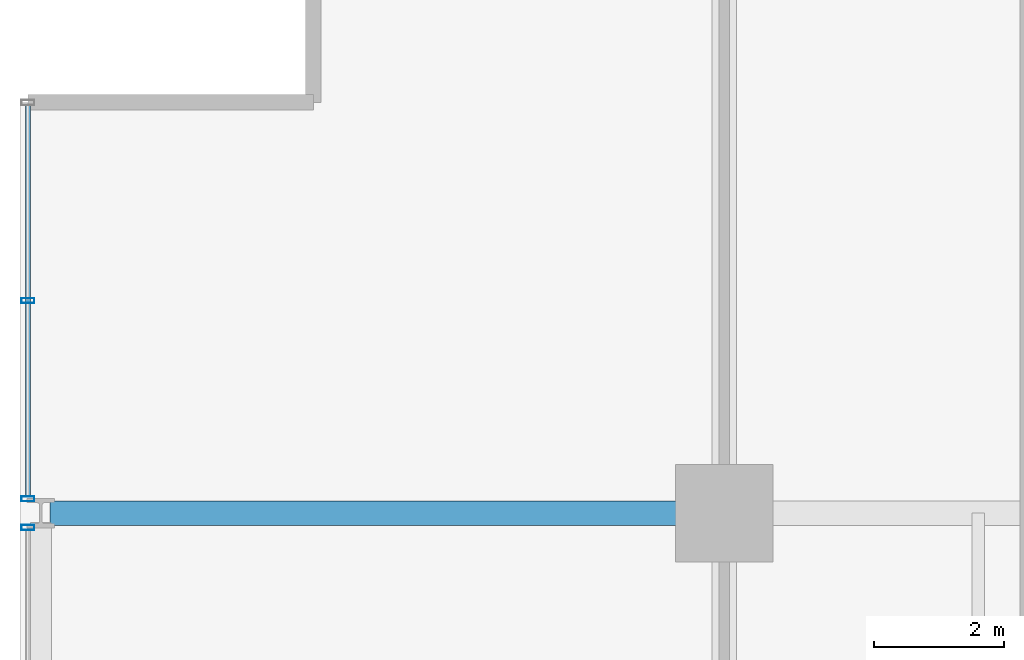
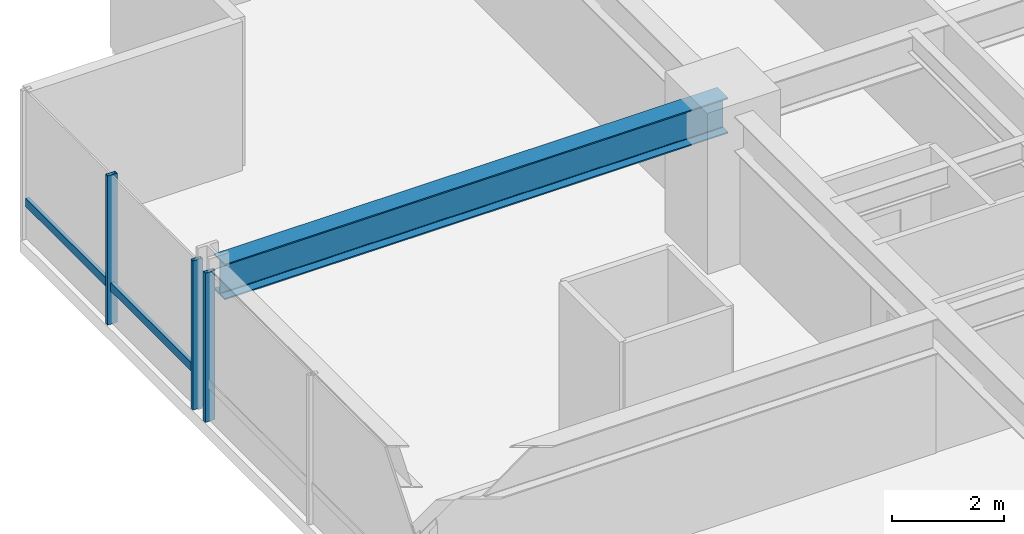
# One storey, part 18 of 35: 4 members, 1 beam, 2 elements without a shape of their own.
"""IFC4 building model written with IfcOpenShell, lengths in metres."""

from ifc_helpers import new_model, si_unit, direction, frame, origin, origin_2d, place, context, subcontext, project, spatial, hollow_rectangle, i_section, extrude, material, layer, layer_set, material_profile, profile_set, type_object, element, aggregate, save


model = new_model("IFC4")

# Units and contexts
model_context = context("Model", 3, precision=1e-05, world=origin(), true_north=direction((0.0, 1.0)))
body_context = subcontext(model_context, "Body", "Model", "MODEL_VIEW")
ifc_project = project(units=[si_unit("LENGTHUNIT", "METRE"), si_unit("AREAUNIT", "SQUARE_METRE"), si_unit("VOLUMEUNIT", "CUBIC_METRE"), si_unit("PLANEANGLEUNIT", "RADIAN"), si_unit("MASSUNIT", "GRAM", prefix="KILO")], contexts=[model_context])

# Site, building, storey
site_placement = place(None, origin())
site = spatial("IfcSite", under=ifc_project, at=site_placement, CompositionType="ELEMENT")
building_placement = place(site_placement, origin())
building = spatial("IfcBuilding", under=site, at=building_placement, Name="Drelvath Grand Hotel", CompositionType="ELEMENT")
storey_placement = place(building_placement, frame((0.0, 0.0, 95.300048828125)))
storey = spatial("IfcBuildingStorey", under=building, at=storey_placement, Name="L23", CompositionType="ELEMENT", Elevation=95.300048828125)

# Curtain wall, member
ifc_material_1 = material(Name="Champagne Bronze Anodised Aluminium Frame", Category="aluminium")
ifc_layer = layer(ifc_material_1, 0.199951171875)
ifc_layer_set = layer_set([ifc_layer], Name="Champagne Bronze Anodised Aluminium Frame")
curtain_wall_type = type_object("IfcCurtainWallType", Name="Stick Curtain Wall CW-03 Champagne Bronze Mid-Rise", PredefinedType="NOTDEFINED", material=ifc_layer_set)
curtain_wall_1_placement = place(storey_placement, origin())
curtain_wall_1 = element("IfcCurtainWall", 1, at=curtain_wall_1_placement, inside=storey, type_object=curtain_wall_type, Name="L23 CW-03 Curtain Wall CW03-L23-WN3", PredefinedType="NOTDEFINED")
ifc_material_profile_1 = material_profile(ifc_material_1, hollow_rectangle(XDim=0.074951171875, YDim=0.179931640625, WallThickness=0.0048828125, at=origin_2d()), Name="HSS180X75X5")
ifc_profile_set_1 = profile_set([ifc_material_profile_1], Name="Champagne Bronze Anodised Aluminium Frame")
member_type_1 = type_object("IfcMemberType", Name="Curtain Wall Horizontal Transom CW-03 HSS180X75X5", PredefinedType="USERDEFINED", material=ifc_profile_set_1)
member_1_placement = place(storey_placement, frame((-26.8798828125, 43.459716796875, 0.81005859375), z_axis=(0.0, 1.0, 0.0), x_axis=(-1.0, 0.0, 0.0)))
member_1 = element("IfcMember", 2, at=member_1_placement, type_object=member_type_1, Name="CW03-L23-WN3 Sill Transom", ObjectType="TRANSOM", PredefinedType="USERDEFINED", context=body_context, shape_type="SweptSolid", body=[
    extrude(hollow_rectangle(XDim=0.074951171875, YDim=0.179931640625, WallThickness=0.0048828125, at=origin_2d()), origin(), (0.0, 0.0, 1.0), 6.000244140625),
])

curtain_wall_2_placement = place(storey_placement, origin())
curtain_wall_2 = element("IfcCurtainWall", 3, at=curtain_wall_2_placement, inside=storey, type_object=curtain_wall_type, Name="L23 CW-03 Curtain Wall CW03-L23-WN2", PredefinedType="NOTDEFINED")
ifc_material_profile_2 = material_profile(ifc_material_1, hollow_rectangle(XDim=0.080078125, YDim=0.199951171875, WallThickness=0.0048828125, at=origin_2d()), Name="HSS200X80X5")
ifc_profile_set_2 = profile_set([ifc_material_profile_2], Name="Champagne Bronze Anodised Aluminium Frame")
member_type_2 = type_object("IfcMemberType", Name="Curtain Wall Vertical Mullion CW-03 HSS200X80X5", PredefinedType="MULLION", material=ifc_profile_set_2)
member_2_placement = place(storey_placement, frame((-26.8798828125, 42.98046875, 0.0), z_axis=(0.0, 0.0, 1.0), x_axis=(0.0, 1.0, 0.0)))
member_2 = element("IfcMember", 4, at=member_2_placement, type_object=member_type_2, Name="CW03-L23-WN2 Mullion 3", PredefinedType="MULLION", context=body_context, shape_type="SweptSolid", body=[
    extrude(hollow_rectangle(XDim=0.080078125, YDim=0.199951171875, WallThickness=0.0048828125, at=origin_2d()), origin(), (0.0, 0.0, 1.0), 3.239990234375),
])
aggregate(curtain_wall_2, [member_2])

# Member
member_3_placement = place(storey_placement, frame((-26.8798828125, 43.419677734375, 0.0), z_axis=(0.0, 0.0, 1.0), x_axis=(0.0, 1.0, 0.0)))
member_3 = element("IfcMember", 5, at=member_3_placement, type_object=member_type_2, Name="CW03-L23-WN3 Mullion 1", PredefinedType="MULLION", context=body_context, shape_type="SweptSolid", body=[
    extrude(hollow_rectangle(XDim=0.080078125, YDim=0.199951171875, WallThickness=0.0048828125, at=origin_2d()), origin(), (0.0, 0.0, 1.0), 3.239990234375),
])

member_4_placement = place(storey_placement, frame((-26.8798828125, 46.459716796875, 0.0), z_axis=(0.0, 0.0, 1.0), x_axis=(0.0, 1.0, 0.0)))
member_4 = element("IfcMember", 6, at=member_4_placement, type_object=member_type_2, Name="CW03-L23-WN3 Mullion 2", PredefinedType="MULLION", context=body_context, shape_type="SweptSolid", body=[
    extrude(hollow_rectangle(XDim=0.080078125, YDim=0.199951171875, WallThickness=0.0048828125, at=origin_2d()), origin(), (0.0, 0.0, 1.0), 3.239990234375),
])

aggregate(curtain_wall_1, [member_3, member_4, member_1])

# Beam
ifc_material_2 = material(Name="Steel ASTM A992 Gr 50", Category="steel")
ifc_material_profile_3 = material_profile(ifc_material_2, i_section(OverallWidth=0.380615234375, OverallDepth=0.773193359375, WebThickness=0.0166015625, FlangeThickness=0.027099609375, FilletRadius=0.02490234375, at=origin_2d()), Name="W30X173")
ifc_profile_set_3 = profile_set([ifc_material_profile_3], Name="Steel ASTM A992 Gr 50")
beam_type = type_object("IfcBeamType", Name="Primary Floor Girder W30X173", PredefinedType="BEAM", material=ifc_profile_set_3)
beam_placement = place(storey_placement, frame((-26.5400390625, 43.199951171875, 2.853271484375), z_axis=(1.0, 0.0, 0.0), x_axis=(0.0, 1.0, 0.0)))
element("IfcBeam", 7, at=beam_placement, inside=storey, type_object=beam_type, Name="L23 West Grid Girder G", PredefinedType="BEAM", context=body_context, shape_type="SweptSolid", body=[
    extrude(i_section(OverallWidth=0.380615234375, OverallDepth=0.773193359375, WebThickness=0.0166015625, FlangeThickness=0.027099609375, FilletRadius=0.02490234375, at=origin_2d()), origin(), (0.0, 0.0, 1.0), 10.340087890625),
])

save(model, "model.ifc")
